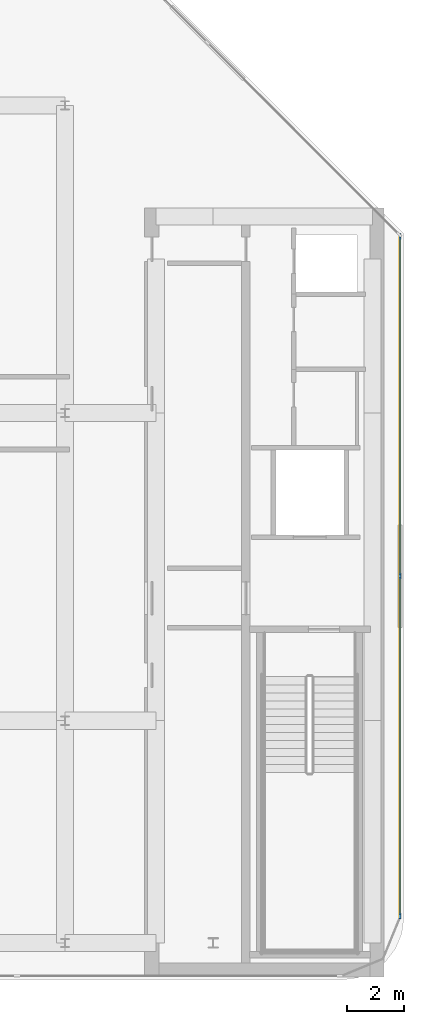
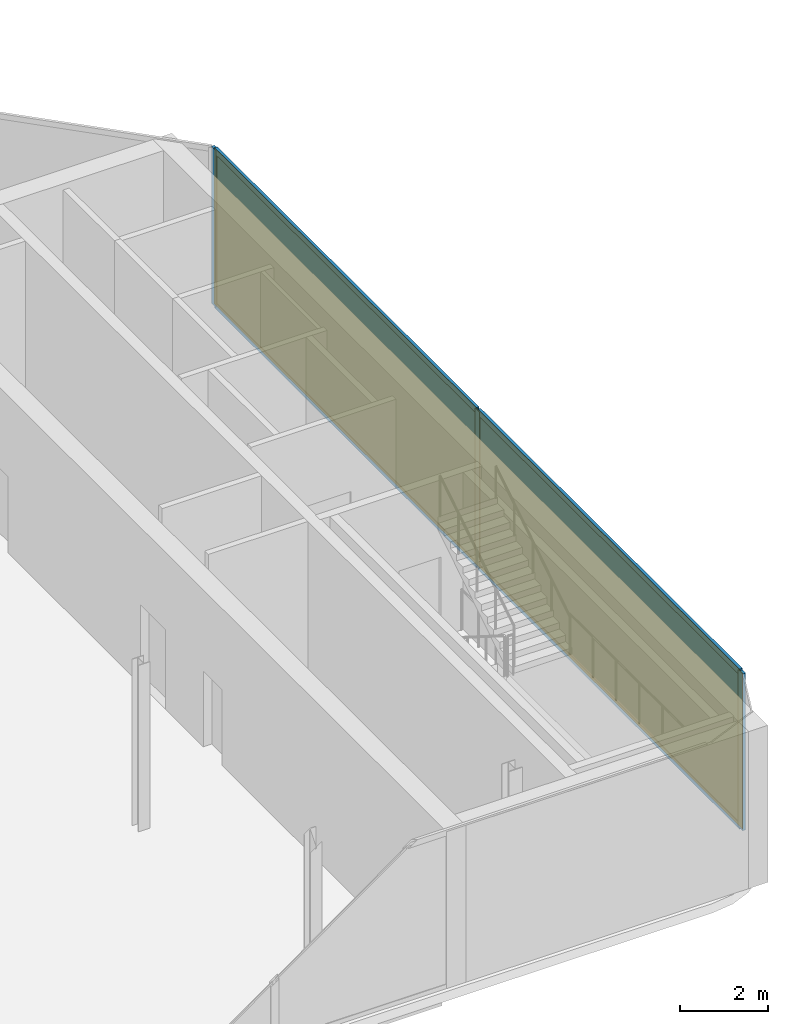
# One storey, part 9 of 15: 7 members, 2 plates, 1 curtain wall.
"""IFC4 building model written with IfcOpenShell, lengths in metres."""

from ifc_helpers import new_model, si_unit, direction, frame, frame_2d, origin, origin_2d, place, context, subcontext, project, spatial, rectangle, extrude, material, layer, layer_set, material_profile, profile_set, type_object, element, aggregate, save


model = new_model("IFC4")

# Units and contexts
model_context = context("Model", 3, precision=1e-05, world=origin(), true_north=direction((0.0, 1.0)))
body_context = subcontext(model_context, "Body", "Model", "MODEL_VIEW")
ifc_project = project(units=[si_unit("LENGTHUNIT", "METRE"), si_unit("AREAUNIT", "SQUARE_METRE"), si_unit("VOLUMEUNIT", "CUBIC_METRE"), si_unit("PLANEANGLEUNIT", "RADIAN"), si_unit("MASSUNIT", "GRAM", prefix="KILO")], contexts=[model_context])

# Member
ifc_material_1 = material(Name="Anodised Bronze Aluminium 6063-T6", Category="aluminium")
ifc_material_profile_1 = material_profile(ifc_material_1, rectangle(XDim=0.074951171875, YDim=0.2099609375, at=origin_2d()))
ifc_profile_set_1 = profile_set([ifc_material_profile_1], Name="Anodised Bronze Aluminium 6063-T6")
member_type_1 = type_object("IfcMemberType", Name="CW-CRN Mullion 75x210", PredefinedType="MULLION", material=ifc_profile_set_1)
site_placement = place(None, origin())
building_placement = place(site_placement, origin())
storey_placement = place(building_placement, frame((0.0, 0.0, 330.39990234375)))
member_1_placement = place(storey_placement, frame((20.9599609375, 6.20458984375, 0.0), z_axis=(0.0, 0.0, 1.0), x_axis=(1.0, 0.0, 0.0)))
member_1 = element("IfcMember", 1, at=member_1_placement, type_object=member_type_1, Name="CW-CRN mullion 1", PredefinedType="MULLION", context=body_context, shape_type="SweptSolid", body=[
    extrude(rectangle(XDim=0.074951171875, YDim=0.2099609375, at=origin_2d()), origin(), (0.0, 0.0, 1.0), 4.340087890625),
])

member_2_placement = place(storey_placement, frame((20.9599609375, -5.724365234375, 0.0), z_axis=(0.0, 0.0, 1.0), x_axis=(1.0, 0.0, 0.0)))
member_2 = element("IfcMember", 2, at=member_2_placement, type_object=member_type_1, Name="CW-CRN mullion 2", PredefinedType="MULLION", context=body_context, shape_type="SweptSolid", body=[
    extrude(rectangle(XDim=0.074951171875, YDim=0.2099609375, at=origin_2d()), origin(), (0.0, 0.0, 1.0), 4.340087890625),
])

member_3_placement = place(storey_placement, frame((20.9599609375, -17.6533203125, 0.0), z_axis=(0.0, 0.0, 1.0), x_axis=(1.0, 0.0, 0.0)))
member_3 = element("IfcMember", 3, at=member_3_placement, type_object=member_type_1, Name="CW-CRN mullion 3", PredefinedType="MULLION", context=body_context, shape_type="SweptSolid", body=[
    extrude(rectangle(XDim=0.074951171875, YDim=0.2099609375, at=origin_2d()), origin(), (0.0, 0.0, 1.0), 4.340087890625),
])

ifc_material_2 = material(Name="Anodised Bronze Aluminium 6063-T6", Category="aluminium")
ifc_material_profile_2 = material_profile(ifc_material_2, rectangle(XDim=0.074951171875, YDim=0.1650390625, at=origin_2d()))
ifc_profile_set_2 = profile_set([ifc_material_profile_2], Name="Anodised Bronze Aluminium 6063-T6")
member_type_2 = type_object("IfcMemberType", Name="CW-CRN Transom 75x165", PredefinedType="USERDEFINED", material=ifc_profile_set_2)
member_4_placement = place(storey_placement, frame((20.9599609375, 6.1669921875, 0.03759765625), z_axis=(0.0, -1.0, 0.0), x_axis=(1.0, 0.0, 0.0)))
member_4 = element("IfcMember", 4, at=member_4_placement, type_object=member_type_2, Name="CW-CRN transom 1.1", ObjectType="TRANSOM", PredefinedType="USERDEFINED", context=body_context, shape_type="SweptSolid", body=[
    extrude(rectangle(XDim=0.074951171875, YDim=0.1650390625, at=origin_2d()), origin(), (0.0, 0.0, 1.0), 11.85400390625),
])

member_5_placement = place(storey_placement, frame((20.9599609375, 6.1669921875, 4.302490234375), z_axis=(0.0, -1.0, 0.0), x_axis=(1.0, 0.0, 0.0)))
member_5 = element("IfcMember", 5, at=member_5_placement, type_object=member_type_2, Name="CW-CRN transom 1.2", ObjectType="TRANSOM", PredefinedType="USERDEFINED", context=body_context, shape_type="SweptSolid", body=[
    extrude(rectangle(XDim=0.074951171875, YDim=0.1650390625, at=origin_2d()), origin(), (0.0, 0.0, 1.0), 11.85400390625),
])

member_6_placement = place(storey_placement, frame((20.9599609375, -5.761962890625, 0.03759765625), z_axis=(0.0, -1.0, 0.0), x_axis=(1.0, 0.0, 0.0)))
member_6 = element("IfcMember", 6, at=member_6_placement, type_object=member_type_2, Name="CW-CRN transom 2.1", ObjectType="TRANSOM", PredefinedType="USERDEFINED", context=body_context, shape_type="SweptSolid", body=[
    extrude(rectangle(XDim=0.074951171875, YDim=0.1650390625, at=origin_2d()), origin(), (0.0, 0.0, 1.0), 11.853759765625),
])

member_7_placement = place(storey_placement, frame((20.9599609375, -5.761962890625, 4.302490234375), z_axis=(0.0, -1.0, 0.0), x_axis=(1.0, 0.0, 0.0)))
member_7 = element("IfcMember", 7, at=member_7_placement, type_object=member_type_2, Name="CW-CRN transom 2.2", ObjectType="TRANSOM", PredefinedType="USERDEFINED", context=body_context, shape_type="SweptSolid", body=[
    extrude(rectangle(XDim=0.074951171875, YDim=0.1650390625, at=origin_2d()), origin(), (0.0, 0.0, 1.0), 11.853759765625),
])

# Plate
ifc_material_3 = material(Name="Low-E Solar Control Laminated Glass", Category="glass")
ifc_layer_1 = layer(ifc_material_3, 0.035888671875, Name="Low-E Solar Control Laminated Glass")
ifc_layer_set_1 = layer_set([ifc_layer_1], Name="Low-E Solar Control Laminated Glass")
plate_type = type_object("IfcPlateType", Name="CW-CRN Low-E Double Glazed Panel 36mm", PredefinedType="CURTAIN_PANEL", material=ifc_layer_set_1)
plate_1_placement = place(storey_placement, frame((20.9599609375, 0.239990234375, 0.0751953125), z_axis=(0.0, 0.0, 1.0), x_axis=(0.0, -1.0, 0.0)))
plate_1 = element("IfcPlate", 8, at=plate_1_placement, type_object=plate_type, Name="CW-CRN panel 1.1", PredefinedType="CURTAIN_PANEL", context=body_context, shape_type="SweptSolid", body=[
    extrude(rectangle(XDim=11.85400390625, YDim=0.035888671875, at=origin_2d()), origin(), (0.0, 0.0, 1.0), 4.18994140625),
])

plate_2_placement = place(storey_placement, frame((20.9599609375, -11.68896484375, 0.0751953125), z_axis=(0.0, 0.0, 1.0), x_axis=(0.0, -1.0, 0.0)))
plate_2 = element("IfcPlate", 9, at=plate_2_placement, type_object=plate_type, Name="CW-CRN panel 2.1", PredefinedType="CURTAIN_PANEL", context=body_context, shape_type="SweptSolid", body=[
    extrude(rectangle(XDim=11.85400390625, YDim=0.035888671875, at=origin_2d()), origin(), (0.0, 0.0, 1.0), 4.18994140625),
])

# Site, building, storey
site = spatial("IfcSite", under=ifc_project, at=site_placement, CompositionType="ELEMENT")
building = spatial("IfcBuilding", under=site, at=building_placement, Name="Khairoan Windgate Tower", CompositionType="ELEMENT")
storey = spatial("IfcBuildingStorey", under=building, at=storey_placement, Name="L79", CompositionType="ELEMENT", Elevation=330.39990234375)

# Curtain wall
ifc_material_4 = material(Name="Anodised Bronze Aluminium 6063-T6", Category="aluminium")
ifc_layer_2 = layer(ifc_material_4, 0.2099609375, Name="Anodised Bronze Aluminium 6063-T6")
ifc_layer_set_2 = layer_set([ifc_layer_2], Name="Anodised Bronze Aluminium 6063-T6")
curtain_wall_type = type_object("IfcCurtainWallType", Name="Crown Observation and Vitrine Curtain Wall CW-CRN", PredefinedType="NOTDEFINED", material=ifc_layer_set_2)
curtain_wall_placement = place(storey_placement, frame((20.9599609375, 6.241943359375, 0.0), z_axis=(0.0, 0.0, 1.0), x_axis=(0.0, -1.0, 0.0)))
curtain_wall = element("IfcCurtainWall", 10, at=curtain_wall_placement, inside=storey, type_object=curtain_wall_type, Name="L79 Unitised Curtain Wall 8", PredefinedType="NOTDEFINED", context=body_context, shape_type="SweptSolid", body=[
    extrude(rectangle(XDim=23.932861328125, YDim=0.010009765625, at=frame_2d((11.96630859375, 0.0))), origin(), (0.0, 0.0, 1.0), 4.340087890625),
])

aggregate(curtain_wall, [member_1, member_2, member_3, member_4, member_5, plate_1, member_6, member_7, plate_2])

save(model, "model.ifc")
